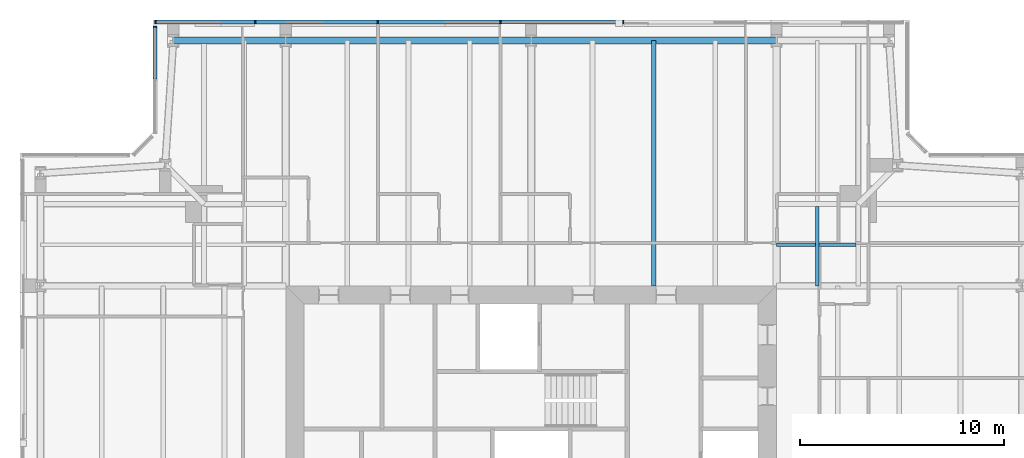
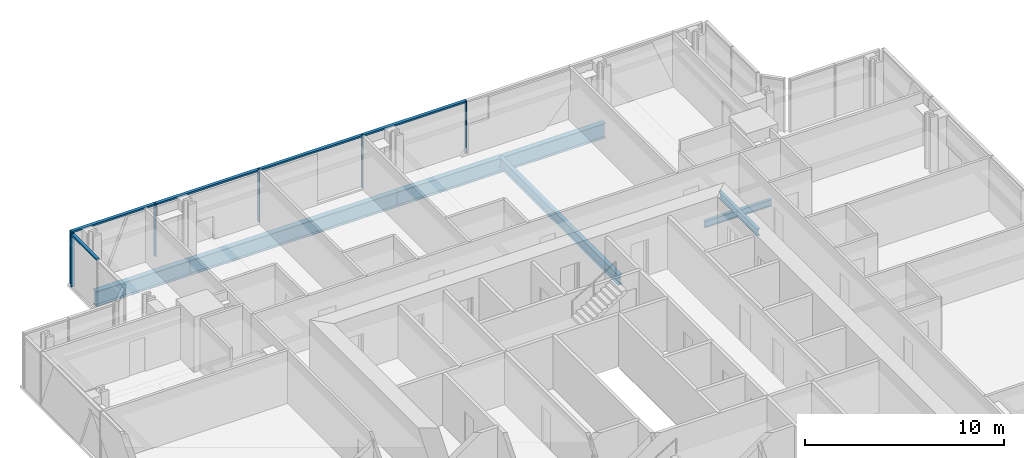
# One storey, part 8 of 18: 11 members, 7 beams, 2 elements without a shape of their own.
"""IFC4 building model written with IfcOpenShell, lengths in metres."""

from ifc_helpers import new_model, si_unit, direction, frame, origin, origin_2d, place, context, subcontext, project, spatial, rectangle, i_section, extrude, material, material_profile, profile_set, type_object, element, aggregate, save


model = new_model("IFC4")

# Units and contexts
model_context = context("Model", 3, precision=1e-05, world=origin(), true_north=direction((0.0, 1.0)))
body_context = subcontext(model_context, "Body", "Model", "MODEL_VIEW")
ifc_project = project(units=[si_unit("LENGTHUNIT", "METRE"), si_unit("AREAUNIT", "SQUARE_METRE"), si_unit("VOLUMEUNIT", "CUBIC_METRE"), si_unit("PLANEANGLEUNIT", "RADIAN"), si_unit("MASSUNIT", "GRAM", prefix="KILO")], contexts=[model_context])

# Site, building, storey
site_placement = place(None, origin())
site = spatial("IfcSite", under=ifc_project, at=site_placement, CompositionType="ELEMENT")
building_placement = place(site_placement, origin())
building = spatial("IfcBuilding", under=site, at=building_placement, Name="Fenwick Lantern Interchange", CompositionType="ELEMENT")
storey_placement = place(building_placement, frame((0.0, 0.0, 262.800048828125)))
storey = spatial("IfcBuildingStorey", under=building, at=storey_placement, Name="L62", CompositionType="ELEMENT", Elevation=262.800048828125)

# Beams
ifc_material_1 = material(Name="Steel ASTM A992 Grade 50", Category="steel")
ifc_material_profile_1 = material_profile(ifc_material_1, i_section(OverallWidth=0.3046875, OverallDepth=0.911865234375, WebThickness=0.015869140625, FlangeThickness=0.02392578125, at=origin_2d()), Name="W36X150")
ifc_profile_set_1 = profile_set([ifc_material_profile_1], Name="Steel ASTM A992 Grade 50")
beam_type_1 = type_object("IfcBeamType", Name="EDGE BEAM W36X150", PredefinedType="SPANDREL", material=ifc_profile_set_1)
for number, where, z_axis, x_axis, name in (
    (1, (37.0, 49.0, -0.60595703125), (-1.0, 0.0, 0.0), (0.0, -1.0, 0.0), "L62/FR/N/EB2"),
    (2, (25.0, 49.0, -0.60595703125), (-1.0, 0.0, 0.0), (0.0, -1.0, 0.0), "L62/FR/N/EB3"),
):
    element("IfcBeam", number, at=place(storey_placement, frame(where, z_axis=z_axis, x_axis=x_axis)), inside=storey, type_object=beam_type_1, Name=name, PredefinedType="SPANDREL", context=body_context, shape_type="SweptSolid", body=[
        extrude(i_section(OverallWidth=0.3046875, OverallDepth=0.911865234375, WebThickness=0.015869140625, FlangeThickness=0.02392578125, at=origin_2d()), origin(), (0.0, 0.0, 1.0), 12.0),
    ])
beam_1_placement = place(storey_placement, frame((13.0, 49.0, -0.60595703125), z_axis=(-1.0, 0.0, 0.0), x_axis=(0.0, -1.0, 0.0)))
element("IfcBeam", 3, at=beam_1_placement, inside=storey, type_object=beam_type_1, Name="L62/FR/N/EB4", PredefinedType="SPANDREL", context=body_context, shape_type="SweptSolid", body=[
    extrude(i_section(OverallWidth=0.3046875, OverallDepth=0.911865234375, WebThickness=0.015869140625, FlangeThickness=0.02392578125, at=origin_2d()), origin(), (0.0, 0.0, 1.0), 5.5),
])
ifc_material_profile_2 = material_profile(ifc_material_1, i_section(OverallWidth=0.22900390625, OverallDepth=0.612060546875, WebThickness=0.011962890625, FlangeThickness=0.01953125, at=origin_2d()), Name="W24X84")
ifc_profile_set_2 = profile_set([ifc_material_profile_2], Name="Steel ASTM A992 Grade 50")
beam_type_2 = type_object("IfcBeamType", Name="FLOOR BEAM W24X84", PredefinedType="BEAM", material=ifc_profile_set_2)
beam_2_placement = place(storey_placement, frame((31.0, 49.0, -0.4560546875), z_axis=(0.0, -1.0, 0.0), x_axis=(1.0, 0.0, 0.0)))
element("IfcBeam", 4, at=beam_2_placement, inside=storey, type_object=beam_type_2, Name="L62/FR/N/R03", PredefinedType="BEAM", context=body_context, shape_type="SweptSolid", body=[
    extrude(i_section(OverallWidth=0.22900390625, OverallDepth=0.612060546875, WebThickness=0.011962890625, FlangeThickness=0.01953125, at=origin_2d()), origin(), (0.0, 0.0, 1.0), 12.0),
])

# Curtain wall, members
ifc_material_2 = material(Name="Aluminium curtain wall frame", Category="aluminium")
curtain_wall_type = type_object("IfcCurtainWallType", Name="HOTEL CURTAIN WALL", PredefinedType="USERDEFINED", material=ifc_material_2)
curtain_wall_1_placement = place(storey_placement, origin())
curtain_wall_1 = element("IfcCurtainWall", 5, at=curtain_wall_1_placement, inside=storey, type_object=curtain_wall_type, Name="Hotel curtain wall 09", ObjectType="HOTEL CURTAIN WALL", PredefinedType="USERDEFINED")
ifc_material_3 = material(Name="Aluminium extrusion", Category="aluminium")
ifc_material_profile_3 = material_profile(ifc_material_3, rectangle(XDim=0.179931640625, YDim=0.06005859375, at=origin_2d()), Name="HOTEL CURTAIN WALL MULLION 60 X 180")
ifc_profile_set_3 = profile_set([ifc_material_profile_3], Name="Aluminium extrusion")
member_type_1 = type_object("IfcMemberType", Name="HOTEL CURTAIN WALL MULLION 60 X 180", PredefinedType="MULLION", material=ifc_profile_set_3)
member_1_placement = place(storey_placement, frame((29.5, 49.89990234375, 0.0), z_axis=(0.0, 0.0, 1.0), x_axis=(0.0, -1.0, 0.0)))
member_1 = element("IfcMember", 6, at=member_1_placement, type_object=member_type_1, Name="L62/CW/09/M03", PredefinedType="MULLION", context=body_context, shape_type="SweptSolid", body=[
    extrude(rectangle(XDim=0.179931640625, YDim=0.06005859375, at=origin_2d()), origin(), (0.0, 0.0, 1.0), 3.25),
])
member_2_placement = place(storey_placement, frame((23.5, 49.89990234375, 0.0), z_axis=(0.0, 0.0, 1.0), x_axis=(0.0, -1.0, 0.0)))
member_2 = element("IfcMember", 7, at=member_2_placement, type_object=member_type_1, Name="L62/CW/09/M04", PredefinedType="MULLION", context=body_context, shape_type="SweptSolid", body=[
    extrude(rectangle(XDim=0.179931640625, YDim=0.06005859375, at=origin_2d()), origin(), (0.0, 0.0, 1.0), 3.25),
])
member_3_placement = place(storey_placement, frame((17.5, 49.89990234375, 0.0), z_axis=(0.0, 0.0, 1.0), x_axis=(0.0, -1.0, 0.0)))
member_3 = element("IfcMember", 8, at=member_3_placement, type_object=member_type_1, Name="L62/CW/09/M05", PredefinedType="MULLION", context=body_context, shape_type="SweptSolid", body=[
    extrude(rectangle(XDim=0.179931640625, YDim=0.06005859375, at=origin_2d()), origin(), (0.0, 0.0, 1.0), 3.25),
])
member_4_placement = place(storey_placement, frame((11.5, 49.89990234375, 0.0), z_axis=(0.0, 0.0, 1.0), x_axis=(0.0, -1.0, 0.0)))
member_4 = element("IfcMember", 9, at=member_4_placement, type_object=member_type_1, Name="L62/CW/09/M06", PredefinedType="MULLION", context=body_context, shape_type="SweptSolid", body=[
    extrude(rectangle(XDim=0.179931640625, YDim=0.06005859375, at=origin_2d()), origin(), (0.0, 0.0, 1.0), 3.25),
])
member_5_placement = place(storey_placement, frame((6.6298828125, 49.89990234375, 0.0), z_axis=(0.0, 0.0, 1.0), x_axis=(0.0, -1.0, 0.0)))
member_5 = element("IfcMember", 10, at=member_5_placement, type_object=member_type_1, Name="L62/CW/09/M07", PredefinedType="MULLION", context=body_context, shape_type="SweptSolid", body=[
    extrude(rectangle(XDim=0.179931640625, YDim=0.06005859375, at=origin_2d()), origin(), (0.0, 0.0, 1.0), 3.25),
])

# Curtain wall, member
curtain_wall_2_placement = place(storey_placement, origin())
curtain_wall_2 = element("IfcCurtainWall", 11, at=curtain_wall_2_placement, inside=storey, type_object=curtain_wall_type, Name="Hotel curtain wall 10", ObjectType="HOTEL CURTAIN WALL", PredefinedType="USERDEFINED")
member_6_placement = place(storey_placement, frame((6.60009765625, 49.669921875, 0.0), z_axis=(0.0, 0.0, 1.0), x_axis=(1.0, 0.0, 0.0)))
member_6 = element("IfcMember", 12, at=member_6_placement, type_object=member_type_1, Name="L62/CW/10/M00", PredefinedType="MULLION", context=body_context, shape_type="SweptSolid", body=[
    extrude(rectangle(XDim=0.179931640625, YDim=0.06005859375, at=origin_2d()), origin(), (0.0, 0.0, 1.0), 3.25),
])

# Member
ifc_material_profile_4 = material_profile(ifc_material_3, rectangle(XDim=0.179931640625, YDim=0.10009765625, at=origin_2d()), Name="HOTEL CURTAIN WALL TRANSOM 100 X 180")
ifc_profile_set_4 = profile_set([ifc_material_profile_4], Name="Aluminium extrusion")
member_type_2 = type_object("IfcMemberType", Name="HOTEL CURTAIN WALL TRANSOM 100 X 180", PredefinedType="MULLION", material=ifc_profile_set_4)
member_7_placement = place(storey_placement, frame((29.469970703125, 49.89990234375, 3.199951171875), z_axis=(-1.0, 0.0, 0.0), x_axis=(0.0, -1.0, 0.0)))
member_7 = element("IfcMember", 13, at=member_7_placement, type_object=member_type_2, Name="L62/CW/09/T03", PredefinedType="MULLION", context=body_context, shape_type="SweptSolid", body=[
    extrude(rectangle(XDim=0.179931640625, YDim=0.10009765625, at=origin_2d()), origin(), (0.0, 0.0, 1.0), 5.93994140625),
])

member_8_placement = place(storey_placement, frame((23.469970703125, 49.89990234375, 3.199951171875), z_axis=(-1.0, 0.0, 0.0), x_axis=(0.0, -1.0, 0.0)))
member_8 = element("IfcMember", 14, at=member_8_placement, type_object=member_type_2, Name="L62/CW/09/T04", PredefinedType="MULLION", context=body_context, shape_type="SweptSolid", body=[
    extrude(rectangle(XDim=0.179931640625, YDim=0.10009765625, at=origin_2d()), origin(), (0.0, 0.0, 1.0), 5.93994140625),
])

member_9_placement = place(storey_placement, frame((17.469970703125, 49.89990234375, 3.199951171875), z_axis=(-1.0, 0.0, 0.0), x_axis=(0.0, -1.0, 0.0)))
member_9 = element("IfcMember", 15, at=member_9_placement, type_object=member_type_2, Name="L62/CW/09/T05", PredefinedType="MULLION", context=body_context, shape_type="SweptSolid", body=[
    extrude(rectangle(XDim=0.179931640625, YDim=0.10009765625, at=origin_2d()), origin(), (0.0, 0.0, 1.0), 5.93994140625),
])

member_10_placement = place(storey_placement, frame((11.469970703125, 49.89990234375, 3.199951171875), z_axis=(-1.0, 0.0, 0.0), x_axis=(0.0, -1.0, 0.0)))
member_10 = element("IfcMember", 16, at=member_10_placement, type_object=member_type_2, Name="L62/CW/09/T06", PredefinedType="MULLION", context=body_context, shape_type="SweptSolid", body=[
    extrude(rectangle(XDim=0.179931640625, YDim=0.10009765625, at=origin_2d()), origin(), (0.0, 0.0, 1.0), 4.81005859375),
])

aggregate(curtain_wall_1, [member_1, member_2, member_3, member_4, member_5, member_7, member_8, member_9, member_10])

member_11_placement = place(storey_placement, frame((6.60009765625, 49.639892578125, 3.199951171875), z_axis=(0.0, -1.0, 0.0), x_axis=(1.0, 0.0, 0.0)))
member_11 = element("IfcMember", 17, at=member_11_placement, type_object=member_type_2, Name="L62/CW/10/T00", PredefinedType="MULLION", context=body_context, shape_type="SweptSolid", body=[
    extrude(rectangle(XDim=0.179931640625, YDim=0.10009765625, at=origin_2d()), origin(), (0.0, 0.0, 1.0), 2.530517578125),
])

aggregate(curtain_wall_2, [member_6, member_11])

# Beams
ifc_material_profile_5 = material_profile(ifc_material_1, i_section(OverallWidth=0.177734375, OverallDepth=0.406494140625, WebThickness=0.0078125, FlangeThickness=0.012939453125, at=origin_2d()), Name="W16X40")
ifc_profile_set_5 = profile_set([ifc_material_profile_5], Name="Steel ASTM A992 Grade 50")
beam_type_3 = type_object("IfcBeamType", Name="INFILL BEAM W16X40", PredefinedType="JOIST", material=ifc_profile_set_5)
beam_3_placement = place(storey_placement, frame((39.0, 40.885498046875, -0.353271484375), z_axis=(0.0, -1.0, 0.0), x_axis=(1.0, 0.0, 0.0)))
element("IfcBeam", 18, at=beam_3_placement, inside=storey, type_object=beam_type_3, Name="L62/FR/N/J2", PredefinedType="JOIST", context=body_context, shape_type="SweptSolid", body=[
    extrude(i_section(OverallWidth=0.177734375, OverallDepth=0.406494140625, WebThickness=0.0078125, FlangeThickness=0.012939453125, at=origin_2d()), origin(), (0.0, 0.0, 1.0), 3.885498046875),
])
beam_4_placement = place(storey_placement, frame((40.885498046875, 39.0, -0.353271484375), z_axis=(-1.0, 0.0, 0.0), x_axis=(0.0, -1.0, 0.0)))
element("IfcBeam", 19, at=beam_4_placement, inside=storey, type_object=beam_type_3, Name="L62/FR/N/J4", PredefinedType="JOIST", context=body_context, shape_type="SweptSolid", body=[
    extrude(i_section(OverallWidth=0.177734375, OverallDepth=0.406494140625, WebThickness=0.0078125, FlangeThickness=0.012939453125, at=origin_2d()), origin(), (0.0, 0.0, 1.0), 1.796630859375),
])
beam_5_placement = place(storey_placement, frame((38.9111328125, 39.0, -0.353271484375), z_axis=(-1.0, 0.0, 0.0), x_axis=(0.0, -1.0, 0.0)))
element("IfcBeam", 20, at=beam_5_placement, inside=storey, type_object=beam_type_3, Name="L62/FR/N/J5", PredefinedType="JOIST", context=body_context, shape_type="SweptSolid", body=[
    extrude(i_section(OverallWidth=0.177734375, OverallDepth=0.406494140625, WebThickness=0.0078125, FlangeThickness=0.012939453125, at=origin_2d()), origin(), (0.0, 0.0, 1.0), 1.9111328125),
])

save(model, "model.ifc")
